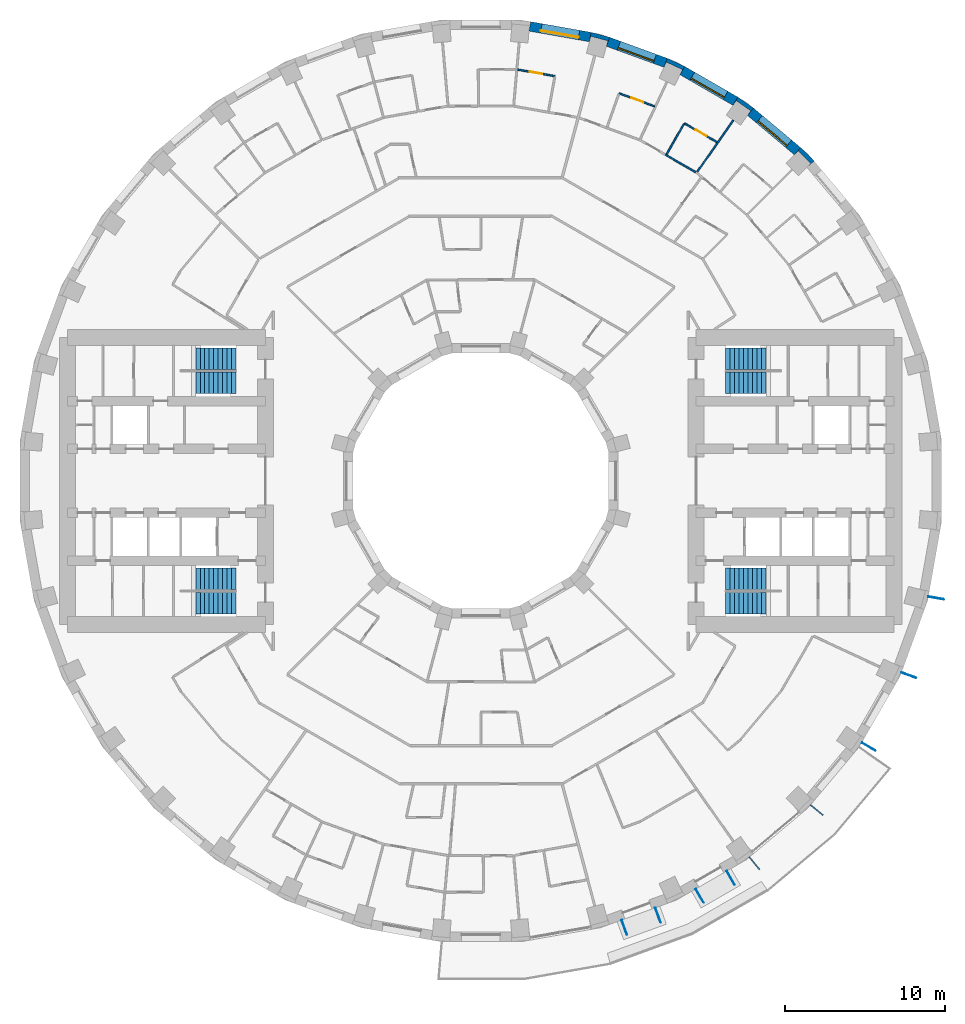
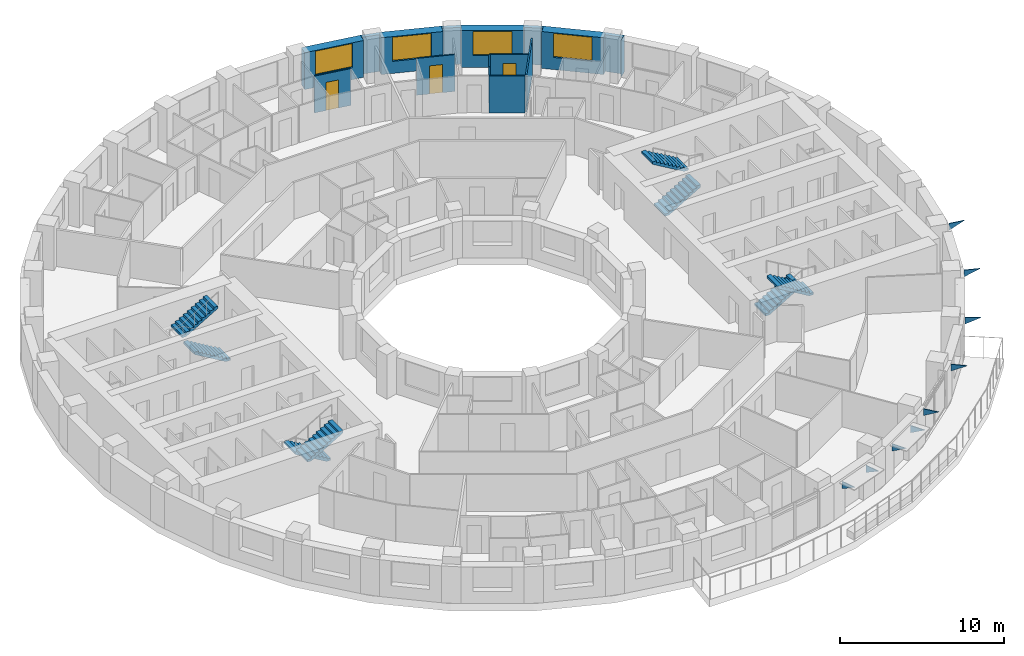
# One storey, part 15 of 16: 14 walls, 9 discrete accessories, 8 stair flights, 4 windows, 3 doors, 7 openings, 4 elements without a shape of their own.
"""IFC4 building model written with IfcOpenShell, lengths in metres."""

from ifc_helpers import new_model, si_unit, direction, frame, frame_2d, origin, place, context, subcontext, project, spatial, polyline, rectangle, outline, extrude, material, layer, layer_set, type_object, element, fill, aggregate, save


model = new_model("IFC4")

# Units and contexts
model_context = context("Model", 3, precision=1e-05, world=origin(), true_north=direction((0.0, 1.0)))
body_context = subcontext(model_context, "Body", "Model", "MODEL_VIEW")
ifc_project = project(units=[si_unit("LENGTHUNIT", "METRE"), si_unit("AREAUNIT", "SQUARE_METRE"), si_unit("VOLUMEUNIT", "CUBIC_METRE"), si_unit("PLANEANGLEUNIT", "RADIAN"), si_unit("MASSUNIT", "GRAM", prefix="KILO")], contexts=[model_context])

# Site, building, storey
site_placement = place(None, origin())
site = spatial("IfcSite", under=ifc_project, at=site_placement, CompositionType="ELEMENT")
building_placement = place(site_placement, origin())
building = spatial("IfcBuilding", under=site, at=building_placement, Name="Saqina Gate Tower", CompositionType="ELEMENT")
storey_placement = place(building_placement, frame((0.0, 0.0, 32.89990234375)))
storey = spatial("IfcBuildingStorey", under=building, at=storey_placement, Name="L08", CompositionType="ELEMENT", Elevation=32.89990234375)

# Walls
ifc_material_1 = material(Name="Brick masonry (red)", Category="masonry")
wall_type_1 = type_object("IfcWallType", Name="BRICK PIER COPING RED", PredefinedType="SOLIDWALL", material=ifc_material_1)
wall_1_placement = place(storey_placement, origin())
element("IfcWall", 1, at=wall_1_placement, inside=storey, type_object=wall_type_1, Name="Pier cap L08 column 5", PredefinedType="SOLIDWALL", context=body_context, shape_type="SweptSolid", body=[
    extrude(outline(polyline([(20.04296875, 20.894775390625), (19.6572265625, 20.43505859375), (19.905029296875, 20.682861328125), (20.682861328125, 19.905029296875), (20.43505859375, 19.6572265625), (20.894775390625, 20.04296875), (20.04296875, 20.894775390625)])), origin(), (0.0, 0.0, 1.0), 2.75),
])
wall_2_placement = place(storey_placement, origin())
element("IfcWall", 2, at=wall_2_placement, inside=storey, type_object=wall_type_1, Name="Pier cap L08 column 6", PredefinedType="SOLIDWALL", context=body_context, shape_type="SweptSolid", body=[
    extrude(outline(polyline([(17.096923828125, 23.36669921875), (16.110107421875, 24.0576171875), (15.81005859375, 23.5380859375), (16.010986328125, 23.8251953125), (16.912109375, 23.194091796875), (16.711181640625, 22.9072265625), (17.096923828125, 23.36669921875)])), origin(), (0.0, 0.0, 1.0), 2.75),
])
wall_3_placement = place(storey_placement, origin())
element("IfcWall", 3, at=wall_3_placement, inside=storey, type_object=wall_type_1, Name="Pier cap L08 column 7", PredefinedType="SOLIDWALL", context=body_context, shape_type="SweptSolid", body=[
    extrude(outline(polyline([(11.687744140625, 26.48974609375), (11.482666015625, 25.92578125), (11.630615234375, 26.243408203125), (12.627685546875, 25.778564453125), (12.4794921875, 25.4609375), (12.779541015625, 25.980712890625), (11.687744140625, 26.48974609375)])), origin(), (0.0, 0.0, 1.0), 2.75),
])
wall_4_placement = place(storey_placement, origin())
element("IfcWall", 4, at=wall_4_placement, inside=storey, type_object=wall_type_1, Name="Pier cap L08 column 8", PredefinedType="SOLIDWALL", context=body_context, shape_type="SweptSolid", body=[
    extrude(outline(polyline([(6.910400390625, 28.11669921875), (6.80615234375, 27.52587890625), (6.896728515625, 27.864501953125), (7.95947265625, 27.57958984375), (7.86865234375, 27.2412109375), (8.073974609375, 27.80517578125), (6.910400390625, 28.11669921875)])), origin(), (0.0, 0.0, 1.0), 2.75),
])

# Wall, opening, window
ifc_material_2 = material(Name="Brick masonry (red)", Category="masonry")
ifc_layer_1 = layer(ifc_material_2, 0.60009765625)
ifc_layer_set_1 = layer_set([ifc_layer_1], Name="FW-BRICK-RED")
wall_type_2 = type_object("IfcWallType", Name="FW-BRICK-RED", PredefinedType="SOLIDWALL", material=ifc_layer_set_1)
wall_5_placement = place(storey_placement, frame((19.85009765625, 20.664794921875, 0.0), z_axis=(0.0, 0.0, 1.0), x_axis=(-0.766026164483, 0.642809392687, 0.0)))
wall_5 = element("IfcWall", 5, at=wall_5_placement, inside=storey, type_object=wall_type_2, Name="Facade wall L08 facet 5", PredefinedType="SOLIDWALL", context=body_context, shape_type="SweptSolid", body=[
    extrude(rectangle(XDim=3.845947265625, YDim=0.60009765625, at=frame_2d((1.9228515625, 0.0))), origin(), (0.0, 0.0, 1.0), 2.75),
])
opening_1_placement = place(wall_5_placement, frame((0.722900390625, 0.0, 0.89990234375)))
opening_1 = element("IfcOpeningElement", 6, at=opening_1_placement, cuts=wall_5, Name="Opening G01-W03", PredefinedType="OPENING", context=body_context, shape_type="SweptSolid", body=[
    extrude(rectangle(XDim=2.39990234375, YDim=1.800048828125, at=frame_2d((1.199951171875, 0.89990234375))), frame((0.0, 0.31201171875, 0.0), z_axis=(0.0, -1.0, 0.0), x_axis=(1.0, 0.0, 0.0)), (0.0, 0.0, 1.0), 0.6240234375),
])
ifc_material_3 = material(Name="Aluminium glazing", Category="aluminium")
window_type = type_object("IfcWindowType", Name="WN-A", PartitioningType="SINGLE_PANEL", PredefinedType="WINDOW", material=ifc_material_3)
window_1_placement = place(opening_1_placement, origin())
window_1 = element("IfcWindow", 7, at=window_1_placement, inside=storey, type_object=window_type, Name="Window L08 facet 5", OverallHeight=1.800048828125, OverallWidth=2.39990234375, PartitioningType="SINGLE_PANEL", PredefinedType="WINDOW", context=body_context, shape_type="SweptSolid", body=[
    extrude(rectangle(XDim=2.39990234375, YDim=1.800048828125, at=frame_2d((1.199951171875, 0.89990234375))), frame((0.0, 0.179931640625, 0.0), z_axis=(0.0, -1.0, 0.0), x_axis=(1.0, 0.0, 0.0)), (0.0, 0.0, 1.0), 0.06005859375),
])
fill(opening_1, window_1)

wall_6_placement = place(storey_placement, frame((15.960205078125, 23.7978515625, 0.0), z_axis=(0.0, 0.0, 1.0), x_axis=(-0.86603124159, 0.499989888488, 0.0)))
wall_6 = element("IfcWall", 8, at=wall_6_placement, inside=storey, type_object=wall_type_2, Name="Facade wall L08 facet 6", PredefinedType="SOLIDWALL", context=body_context, shape_type="SweptSolid", body=[
    extrude(rectangle(XDim=3.845703125, YDim=0.60009765625, at=frame_2d((1.9228515625, 0.0))), origin(), (0.0, 0.0, 1.0), 2.75),
])
opening_2_placement = place(wall_6_placement, frame((0.722900390625, 0.0, 0.89990234375)))
opening_2 = element("IfcOpeningElement", 9, at=opening_2_placement, cuts=wall_6, Name="Opening G01-W04", PredefinedType="OPENING", context=body_context, shape_type="SweptSolid", body=[
    extrude(rectangle(XDim=2.39990234375, YDim=1.800048828125, at=frame_2d((1.199951171875, 0.89990234375))), frame((0.0, 0.31201171875, 0.0), z_axis=(0.0, -1.0, 0.0), x_axis=(1.0, 0.0, 0.0)), (0.0, 0.0, 1.0), 0.6240234375),
])
window_2_placement = place(opening_2_placement, origin())
window_2 = element("IfcWindow", 10, at=window_2_placement, inside=storey, type_object=window_type, Name="Window L08 facet 6", OverallHeight=1.800048828125, OverallWidth=2.39990234375, PartitioningType="SINGLE_PANEL", PredefinedType="WINDOW", context=body_context, shape_type="SweptSolid", body=[
    extrude(rectangle(XDim=2.39990234375, YDim=1.800048828125, at=frame_2d((1.199951171875, 0.89990234375))), frame((0.0, 0.179931640625, 0.0), z_axis=(0.0, -1.0, 0.0), x_axis=(1.0, 0.0, 0.0)), (0.0, 0.0, 1.0), 0.06005859375),
])
fill(opening_2, window_2)

wall_7_placement = place(storey_placement, frame((11.585205078125, 26.207763671875, 0.0), z_axis=(0.0, 0.0, 1.0), x_axis=(-0.939689588564, 0.342028474173, 0.0)))
wall_7 = element("IfcWall", 11, at=wall_7_placement, inside=storey, type_object=wall_type_2, Name="Facade wall L08 facet 7", PredefinedType="SOLIDWALL", context=body_context, shape_type="SweptSolid", body=[
    extrude(rectangle(XDim=3.845947265625, YDim=0.60009765625, at=frame_2d((1.9228515625, 0.0))), origin(), (0.0, 0.0, 1.0), 2.75),
])
opening_3_placement = place(wall_7_placement, frame((0.722900390625, 0.0, 0.89990234375)))
opening_3 = element("IfcOpeningElement", 12, at=opening_3_placement, cuts=wall_7, Name="Opening G01-W05", PredefinedType="OPENING", context=body_context, shape_type="SweptSolid", body=[
    extrude(rectangle(XDim=2.39990234375, YDim=1.800048828125, at=frame_2d((1.199951171875, 0.89990234375))), frame((0.0, 0.31201171875, 0.0), z_axis=(0.0, -1.0, 0.0), x_axis=(1.0, 0.0, 0.0)), (0.0, 0.0, 1.0), 0.6240234375),
])
window_3_placement = place(opening_3_placement, origin())
window_3 = element("IfcWindow", 13, at=window_3_placement, inside=storey, type_object=window_type, Name="Window L08 facet 7", OverallHeight=1.800048828125, OverallWidth=2.39990234375, PartitioningType="SINGLE_PANEL", PredefinedType="WINDOW", context=body_context, shape_type="SweptSolid", body=[
    extrude(rectangle(XDim=2.39990234375, YDim=1.800048828125, at=frame_2d((1.199951171875, 0.89990234375))), frame((0.0, 0.179931640625, 0.0), z_axis=(0.0, -1.0, 0.0), x_axis=(1.0, 0.0, 0.0)), (0.0, 0.0, 1.0), 0.06005859375),
])
fill(opening_3, window_3)

wall_8_placement = place(storey_placement, frame((6.858154296875, 27.8212890625, 0.0), z_axis=(0.0, 0.0, 1.0), x_axis=(-0.984800809218, 0.173687553279, 0.0)))
wall_8 = element("IfcWall", 14, at=wall_8_placement, inside=storey, type_object=wall_type_2, Name="Facade wall L08 facet 8", PredefinedType="SOLIDWALL", context=body_context, shape_type="SweptSolid", body=[
    extrude(rectangle(XDim=3.845703125, YDim=0.60009765625, at=frame_2d((1.9228515625, 0.0))), origin(), (0.0, 0.0, 1.0), 2.75),
])
opening_4_placement = place(wall_8_placement, frame((0.722900390625, 0.0, 0.89990234375)))
opening_4 = element("IfcOpeningElement", 15, at=opening_4_placement, cuts=wall_8, Name="Opening G01-W06", PredefinedType="OPENING", context=body_context, shape_type="SweptSolid", body=[
    extrude(rectangle(XDim=2.39990234375, YDim=1.800048828125, at=frame_2d((1.199951171875, 0.89990234375))), frame((0.0, 0.31201171875, 0.0), z_axis=(0.0, -1.0, 0.0), x_axis=(1.0, 0.0, 0.0)), (0.0, 0.0, 1.0), 0.6240234375),
])
window_4_placement = place(opening_4_placement, origin())
window_4 = element("IfcWindow", 16, at=window_4_placement, inside=storey, type_object=window_type, Name="Window L08 facet 8", OverallHeight=1.800048828125, OverallWidth=2.39990234375, PartitioningType="SINGLE_PANEL", PredefinedType="WINDOW", context=body_context, shape_type="SweptSolid", body=[
    extrude(rectangle(XDim=2.39990234375, YDim=1.800048828125, at=frame_2d((1.199951171875, 0.89990234375))), frame((0.0, 0.179931640625, 0.0), z_axis=(0.0, -1.0, 0.0), x_axis=(1.0, 0.0, 0.0)), (0.0, 0.0, 1.0), 0.06005859375),
])
fill(opening_4, window_4)

# Wall
ifc_material_4 = material(Name="Gypsum board on steel studs, 100 mm", Category="steel")
ifc_layer_2 = layer(ifc_material_4, 0.10009765625)
ifc_layer_set_2 = layer_set([ifc_layer_2], Name="PARTITION 100")
wall_type_3 = type_object("IfcWallType", Name="PARTITION 100", PredefinedType="PARTITIONING", material=ifc_layer_set_2)
wall_9_placement = place(storey_placement, frame((11.57177734375, 20.443115234375, 0.0), z_axis=(0.0, 0.0, 1.0), x_axis=(0.865939000713, -0.500149624657, 0.0)))
element("IfcWall", 17, at=wall_9_placement, inside=storey, type_object=wall_type_3, Name="PARTITION PW3-44", PredefinedType="PARTITIONING", context=body_context, shape_type="SweptSolid", body=[
    extrude(rectangle(XDim=2.193115234375, YDim=0.10009765625, at=frame_2d((1.0966796875, 0.0))), origin(), (0.0, 0.0, 1.0), 2.75),
])

# Wall, opening, door
wall_10_placement = place(storey_placement, frame((12.751953125, 22.4169921875, 0.0), z_axis=(0.0, 0.0, 1.0), x_axis=(0.865984969814, -0.500070027153, 0.0)))
wall_10 = element("IfcWall", 18, at=wall_10_placement, inside=storey, type_object=wall_type_3, Name="PARTITION PW3-45", PredefinedType="PARTITIONING", context=body_context, shape_type="SweptSolid", body=[
    extrude(rectangle(XDim=2.371337890625, YDim=0.10009765625, at=frame_2d((1.185546875, 0.0))), origin(), (0.0, 0.0, 1.0), 2.75),
])
opening_5_placement = place(wall_10_placement, frame((0.810791015625, 0.0, 0.0)))
opening_5 = element("IfcOpeningElement", 19, at=opening_5_placement, cuts=wall_10, Name="Opening G01-D10", PredefinedType="OPENING", context=body_context, shape_type="SweptSolid", body=[
    extrude(rectangle(XDim=0.800048828125, YDim=2.10009765625, at=frame_2d((0.39990234375, 1.050048828125))), frame((0.0, 0.06201171875, 0.0), z_axis=(0.0, -1.0, 0.0), x_axis=(1.0, 0.0, 0.0)), (0.0, 0.0, 1.0), 0.1240234375),
])
ifc_material_5 = material(Name="Timber door leaf, 800 mm", Category="wood")
door_type = type_object("IfcDoorType", Name="DOOR 800 TIMBER", OperationType="SINGLE_SWING_LEFT", PredefinedType="DOOR", material=ifc_material_5)
door_1_placement = place(opening_5_placement, origin())
door_1 = element("IfcDoor", 20, at=door_1_placement, inside=storey, type_object=door_type, Name="DOOR G01-D10", OperationType="SINGLE_SWING_RIGHT", OverallHeight=2.10009765625, OverallWidth=0.800048828125, PredefinedType="DOOR", context=body_context, shape_type="SweptSolid", body=[
    extrude(rectangle(XDim=0.800048828125, YDim=2.10009765625, at=frame_2d((0.39990234375, 1.050048828125))), frame((0.0, 0.02490234375, 0.0), z_axis=(0.0, -1.0, 0.0), x_axis=(1.0, 0.0, 0.0)), (0.0, 0.0, 1.0), 0.050048828125),
])
fill(opening_5, door_1)

wall_11_placement = place(storey_placement, frame((8.666015625, 24.291015625, 0.0), z_axis=(0.0, 0.0, 1.0), x_axis=(0.939700179596, -0.341999374952, 0.0)))
wall_11 = element("IfcWall", 21, at=wall_11_placement, inside=storey, type_object=wall_type_3, Name="PARTITION PW3-50", PredefinedType="PARTITIONING", context=body_context, shape_type="SweptSolid", body=[
    extrude(rectangle(XDim=2.370849609375, YDim=0.10009765625, at=frame_2d((1.185546875, 0.0))), origin(), (0.0, 0.0, 1.0), 2.75),
])
opening_6_placement = place(wall_11_placement, frame((0.810546875, 0.0, 0.0)))
opening_6 = element("IfcOpeningElement", 22, at=opening_6_placement, cuts=wall_11, Name="Opening G01-D14", PredefinedType="OPENING", context=body_context, shape_type="SweptSolid", body=[
    extrude(rectangle(XDim=0.800048828125, YDim=2.10009765625, at=frame_2d((0.39990234375, 1.050048828125))), frame((0.0, 0.06201171875, 0.0), z_axis=(0.0, -1.0, 0.0), x_axis=(1.0, 0.0, 0.0)), (0.0, 0.0, 1.0), 0.1240234375),
])
door_2_placement = place(opening_6_placement, origin())
door_2 = element("IfcDoor", 23, at=door_2_placement, inside=storey, type_object=door_type, Name="DOOR G01-D14", OperationType="SINGLE_SWING_RIGHT", OverallHeight=2.10009765625, OverallWidth=0.800048828125, PredefinedType="DOOR", context=body_context, shape_type="SweptSolid", body=[
    extrude(rectangle(XDim=0.800048828125, YDim=2.10009765625, at=frame_2d((0.39990234375, 1.050048828125))), frame((0.0, 0.02490234375, 0.0), z_axis=(0.0, -1.0, 0.0), x_axis=(1.0, 0.0, 0.0)), (0.0, 0.0, 1.0), 0.050048828125),
])
fill(opening_6, door_2)

wall_12_placement = place(storey_placement, frame((2.30517578125, 25.78125, 0.0), z_axis=(0.0, 0.0, 1.0), x_axis=(0.984774232096, -0.17383817705, 0.0)))
wall_12 = element("IfcWall", 24, at=wall_12_placement, inside=storey, type_object=wall_type_3, Name="PARTITION PW3-54", PredefinedType="PARTITIONING", context=body_context, shape_type="SweptSolid", body=[
    extrude(rectangle(XDim=2.3720703125, YDim=0.10009765625, at=frame_2d((1.18603515625, 0.0))), origin(), (0.0, 0.0, 1.0), 2.75),
])
opening_7_placement = place(wall_12_placement, frame((0.760986328125, 0.0, 0.0)))
opening_7 = element("IfcOpeningElement", 25, at=opening_7_placement, cuts=wall_12, Name="Opening G01-D18", PredefinedType="OPENING", context=body_context, shape_type="SweptSolid", body=[
    extrude(rectangle(XDim=0.800048828125, YDim=2.10009765625, at=frame_2d((0.39990234375, 1.050048828125))), frame((0.0, 0.06201171875, 0.0), z_axis=(0.0, -1.0, 0.0), x_axis=(1.0, 0.0, 0.0)), (0.0, 0.0, 1.0), 0.1240234375),
])
door_3_placement = place(opening_7_placement, origin())
door_3 = element("IfcDoor", 26, at=door_3_placement, inside=storey, type_object=door_type, Name="DOOR G01-D18", OperationType="SINGLE_SWING_LEFT", OverallHeight=2.10009765625, OverallWidth=0.800048828125, PredefinedType="DOOR", context=body_context, shape_type="SweptSolid", body=[
    extrude(rectangle(XDim=0.800048828125, YDim=2.10009765625, at=frame_2d((0.39990234375, 1.050048828125))), frame((0.0, 0.02490234375, 0.0), z_axis=(0.0, -1.0, 0.0), x_axis=(1.0, 0.0, 0.0)), (0.0, 0.0, 1.0), 0.050048828125),
])
fill(opening_7, door_3)

# Walls
wall_13_placement = place(storey_placement, frame((13.561279296875, 19.365966796875, 0.0), z_axis=(0.0, 0.0, 1.0), x_axis=(0.573366885016, 0.819298733776, 0.0)))
element("IfcWall", 27, at=wall_13_placement, inside=storey, type_object=wall_type_3, Name="PARTITION PW3-99", PredefinedType="PARTITIONING", context=body_context, shape_type="SweptSolid", body=[
    extrude(rectangle(XDim=3.947998046875, YDim=0.10009765625, at=frame_2d((1.97412109375, 0.0))), origin(), (0.0, 0.0, 1.0), 2.75),
])
wall_14_placement = place(storey_placement, frame((11.64599609375, 20.472412109375, 0.0), z_axis=(0.0, 0.0, 1.0), x_axis=(0.494394843989, 0.869237446408, 0.0)))
element("IfcWall", 28, at=wall_14_placement, inside=storey, type_object=wall_type_3, Name="PARTITION PW3-103", PredefinedType="PARTITIONING", context=body_context, shape_type="SweptSolid", body=[
    extrude(rectangle(XDim=2.18701171875, YDim=0.10009765625, at=frame_2d((1.093505859375, 0.0))), origin(), (0.0, 0.0, 1.0), 2.75),
])

# Stair, stair flights
ifc_material_6 = material(Name="Concrete C40/50", Category="concrete")
stair_type = type_object("IfcStairType", Name="EXIT STAIR", PredefinedType="HALF_TURN_STAIR", material=ifc_material_6)
stair_1_placement = place(storey_placement, origin())
stair_1 = element("IfcStair", 29, at=stair_1_placement, inside=storey, type_object=stair_type, Name="EXIT STAIR 1", PredefinedType="HALF_TURN_STAIR")
ifc_material_7 = material(Name="Concrete C40/50", Category="concrete")
stair_flight_type = type_object("IfcStairFlightType", Name="EXIT STAIR FLIGHT", PredefinedType="STRAIGHT", material=ifc_material_7)
stair_flight_1_placement = place(storey_placement, frame((15.35009765625, 6.1416015625, 0.0), z_axis=(0.0, 0.0, 1.0), x_axis=(1.0, 0.0, 0.0)))
stair_flight_1 = element("IfcStairFlight", 30, at=stair_flight_1_placement, type_object=stair_flight_type, Name="EXIT STAIR 1 FLIGHT 1", NumberOfRisers=10, NumberOfTreads=9, PredefinedType="STRAIGHT", RiserHeight=0.165, TreadLength=0.28, context=body_context, shape_type="SweptSolid", body=[
    extrude(outline(polyline([(0.0, 0.0), (0.0, 0.1650390625), (0.280029296875, 0.1650390625), (0.280029296875, 0.330078125), (0.56005859375, 0.330078125), (0.56005859375, 0.4951171875), (0.840087890625, 0.4951171875), (0.840087890625, 0.659912109375), (1.1201171875, 0.659912109375), (1.1201171875, 0.824951171875), (1.39990234375, 0.824951171875), (1.39990234375, 0.989990234375), (1.679931640625, 0.989990234375), (1.679931640625, 1.155029296875), (1.9599609375, 1.155029296875), (1.9599609375, 1.320068359375), (2.239990234375, 1.320068359375), (2.239990234375, 1.485107421875), (2.52001953125, 1.485107421875), (2.52001953125, 1.64990234375), (2.52001953125, 1.31103515625), (0.295166015625, 0.0), (0.0, 0.0)])), frame((0.0, 0.675048828125, 0.0), z_axis=(0.0, -1.0, 0.0), x_axis=(1.0, 0.0, 0.0)), (0.0, 0.0, 1.0), 1.35009765625),
])
stair_flight_2_placement = place(storey_placement, frame((17.8701171875, 7.658447265625, 1.650146484375), z_axis=(0.0, 0.0, 1.0), x_axis=(-1.0, 0.0, 0.0)))
stair_flight_2 = element("IfcStairFlight", 31, at=stair_flight_2_placement, type_object=stair_flight_type, Name="EXIT STAIR 1 FLIGHT 2", NumberOfRisers=10, NumberOfTreads=9, PredefinedType="STRAIGHT", RiserHeight=0.165, TreadLength=0.28, context=body_context, shape_type="SweptSolid", body=[
    extrude(outline(polyline([(0.0, 0.0), (0.0, 0.1650390625), (0.280029296875, 0.1650390625), (0.280029296875, 0.330078125), (0.56005859375, 0.330078125), (0.56005859375, 0.4951171875), (0.840087890625, 0.4951171875), (0.840087890625, 0.659912109375), (1.1201171875, 0.659912109375), (1.1201171875, 0.824951171875), (1.39990234375, 0.824951171875), (1.39990234375, 0.989990234375), (1.679931640625, 0.989990234375), (1.679931640625, 1.155029296875), (1.9599609375, 1.155029296875), (1.9599609375, 1.320068359375), (2.239990234375, 1.320068359375), (2.239990234375, 1.485107421875), (2.52001953125, 1.485107421875), (2.52001953125, 1.64990234375), (2.52001953125, 1.31103515625), (0.295166015625, 0.0), (0.0, 0.0)])), frame((0.0, 0.675048828125, 0.0), z_axis=(0.0, -1.0, 0.0), x_axis=(1.0, 0.0, 0.0)), (0.0, 0.0, 1.0), 1.35009765625),
])
aggregate(stair_1, [stair_flight_1, stair_flight_2])

stair_2_placement = place(storey_placement, origin())
stair_2 = element("IfcStair", 32, at=stair_2_placement, inside=storey, type_object=stair_type, Name="EXIT STAIR 2", PredefinedType="HALF_TURN_STAIR")
stair_flight_3_placement = place(storey_placement, frame((15.35009765625, -6.1416015625, 0.0), z_axis=(0.0, 0.0, 1.0), x_axis=(1.0, 0.0, 0.0)))
stair_flight_3 = element("IfcStairFlight", 33, at=stair_flight_3_placement, type_object=stair_flight_type, Name="EXIT STAIR 2 FLIGHT 1", NumberOfRisers=10, NumberOfTreads=9, PredefinedType="STRAIGHT", RiserHeight=0.165, TreadLength=0.28, context=body_context, shape_type="SweptSolid", body=[
    extrude(outline(polyline([(0.0, 0.0), (0.0, 0.1650390625), (0.280029296875, 0.1650390625), (0.280029296875, 0.330078125), (0.56005859375, 0.330078125), (0.56005859375, 0.4951171875), (0.840087890625, 0.4951171875), (0.840087890625, 0.659912109375), (1.1201171875, 0.659912109375), (1.1201171875, 0.824951171875), (1.39990234375, 0.824951171875), (1.39990234375, 0.989990234375), (1.679931640625, 0.989990234375), (1.679931640625, 1.155029296875), (1.9599609375, 1.155029296875), (1.9599609375, 1.320068359375), (2.239990234375, 1.320068359375), (2.239990234375, 1.485107421875), (2.52001953125, 1.485107421875), (2.52001953125, 1.64990234375), (2.52001953125, 1.31103515625), (0.295166015625, 0.0), (0.0, 0.0)])), frame((0.0, 0.675048828125, 0.0), z_axis=(0.0, -1.0, 0.0), x_axis=(1.0, 0.0, 0.0)), (0.0, 0.0, 1.0), 1.35009765625),
])
stair_flight_4_placement = place(storey_placement, frame((17.8701171875, -7.658447265625, 1.650146484375), z_axis=(0.0, 0.0, 1.0), x_axis=(-1.0, 0.0, 0.0)))
stair_flight_4 = element("IfcStairFlight", 34, at=stair_flight_4_placement, type_object=stair_flight_type, Name="EXIT STAIR 2 FLIGHT 2", NumberOfRisers=10, NumberOfTreads=9, PredefinedType="STRAIGHT", RiserHeight=0.165, TreadLength=0.28, context=body_context, shape_type="SweptSolid", body=[
    extrude(outline(polyline([(0.0, 0.0), (0.0, 0.1650390625), (0.280029296875, 0.1650390625), (0.280029296875, 0.330078125), (0.56005859375, 0.330078125), (0.56005859375, 0.4951171875), (0.840087890625, 0.4951171875), (0.840087890625, 0.659912109375), (1.1201171875, 0.659912109375), (1.1201171875, 0.824951171875), (1.39990234375, 0.824951171875), (1.39990234375, 0.989990234375), (1.679931640625, 0.989990234375), (1.679931640625, 1.155029296875), (1.9599609375, 1.155029296875), (1.9599609375, 1.320068359375), (2.239990234375, 1.320068359375), (2.239990234375, 1.485107421875), (2.52001953125, 1.485107421875), (2.52001953125, 1.64990234375), (2.52001953125, 1.31103515625), (0.295166015625, 0.0), (0.0, 0.0)])), frame((0.0, 0.675048828125, 0.0), z_axis=(0.0, -1.0, 0.0), x_axis=(1.0, 0.0, 0.0)), (0.0, 0.0, 1.0), 1.35009765625),
])
aggregate(stair_2, [stair_flight_3, stair_flight_4])

stair_3_placement = place(storey_placement, origin())
stair_3 = element("IfcStair", 35, at=stair_3_placement, inside=storey, type_object=stair_type, Name="EXIT STAIR 3", PredefinedType="HALF_TURN_STAIR")
stair_flight_5_placement = place(storey_placement, frame((-15.35009765625, 6.1416015625, 0.0), z_axis=(0.0, 0.0, 1.0), x_axis=(-1.0, 0.0, 0.0)))
stair_flight_5 = element("IfcStairFlight", 36, at=stair_flight_5_placement, type_object=stair_flight_type, Name="EXIT STAIR 3 FLIGHT 1", NumberOfRisers=10, NumberOfTreads=9, PredefinedType="STRAIGHT", RiserHeight=0.165, TreadLength=0.28, context=body_context, shape_type="SweptSolid", body=[
    extrude(outline(polyline([(0.0, 0.0), (0.0, 0.1650390625), (0.280029296875, 0.1650390625), (0.280029296875, 0.330078125), (0.56005859375, 0.330078125), (0.56005859375, 0.4951171875), (0.840087890625, 0.4951171875), (0.840087890625, 0.659912109375), (1.1201171875, 0.659912109375), (1.1201171875, 0.824951171875), (1.39990234375, 0.824951171875), (1.39990234375, 0.989990234375), (1.679931640625, 0.989990234375), (1.679931640625, 1.155029296875), (1.9599609375, 1.155029296875), (1.9599609375, 1.320068359375), (2.239990234375, 1.320068359375), (2.239990234375, 1.485107421875), (2.52001953125, 1.485107421875), (2.52001953125, 1.64990234375), (2.52001953125, 1.31103515625), (0.295166015625, 0.0), (0.0, 0.0)])), frame((0.0, 0.675048828125, 0.0), z_axis=(0.0, -1.0, 0.0), x_axis=(1.0, 0.0, 0.0)), (0.0, 0.0, 1.0), 1.35009765625),
])
stair_flight_6_placement = place(storey_placement, frame((-17.8701171875, 7.658447265625, 1.650146484375), z_axis=(0.0, 0.0, 1.0), x_axis=(1.0, 0.0, 0.0)))
stair_flight_6 = element("IfcStairFlight", 37, at=stair_flight_6_placement, type_object=stair_flight_type, Name="EXIT STAIR 3 FLIGHT 2", NumberOfRisers=10, NumberOfTreads=9, PredefinedType="STRAIGHT", RiserHeight=0.165, TreadLength=0.28, context=body_context, shape_type="SweptSolid", body=[
    extrude(outline(polyline([(0.0, 0.0), (0.0, 0.1650390625), (0.280029296875, 0.1650390625), (0.280029296875, 0.330078125), (0.56005859375, 0.330078125), (0.56005859375, 0.4951171875), (0.840087890625, 0.4951171875), (0.840087890625, 0.659912109375), (1.1201171875, 0.659912109375), (1.1201171875, 0.824951171875), (1.39990234375, 0.824951171875), (1.39990234375, 0.989990234375), (1.679931640625, 0.989990234375), (1.679931640625, 1.155029296875), (1.9599609375, 1.155029296875), (1.9599609375, 1.320068359375), (2.239990234375, 1.320068359375), (2.239990234375, 1.485107421875), (2.52001953125, 1.485107421875), (2.52001953125, 1.64990234375), (2.52001953125, 1.31103515625), (0.295166015625, 0.0), (0.0, 0.0)])), frame((0.0, 0.675048828125, 0.0), z_axis=(0.0, -1.0, 0.0), x_axis=(1.0, 0.0, 0.0)), (0.0, 0.0, 1.0), 1.35009765625),
])
aggregate(stair_3, [stair_flight_5, stair_flight_6])

stair_4_placement = place(storey_placement, origin())
stair_4 = element("IfcStair", 38, at=stair_4_placement, inside=storey, type_object=stair_type, Name="EXIT STAIR 4", PredefinedType="HALF_TURN_STAIR")
stair_flight_7_placement = place(storey_placement, frame((-15.35009765625, -6.1416015625, 0.0), z_axis=(0.0, 0.0, 1.0), x_axis=(-1.0, 0.0, 0.0)))
stair_flight_7 = element("IfcStairFlight", 39, at=stair_flight_7_placement, type_object=stair_flight_type, Name="EXIT STAIR 4 FLIGHT 1", NumberOfRisers=10, NumberOfTreads=9, PredefinedType="STRAIGHT", RiserHeight=0.165, TreadLength=0.28, context=body_context, shape_type="SweptSolid", body=[
    extrude(outline(polyline([(0.0, 0.0), (0.0, 0.1650390625), (0.280029296875, 0.1650390625), (0.280029296875, 0.330078125), (0.56005859375, 0.330078125), (0.56005859375, 0.4951171875), (0.840087890625, 0.4951171875), (0.840087890625, 0.659912109375), (1.1201171875, 0.659912109375), (1.1201171875, 0.824951171875), (1.39990234375, 0.824951171875), (1.39990234375, 0.989990234375), (1.679931640625, 0.989990234375), (1.679931640625, 1.155029296875), (1.9599609375, 1.155029296875), (1.9599609375, 1.320068359375), (2.239990234375, 1.320068359375), (2.239990234375, 1.485107421875), (2.52001953125, 1.485107421875), (2.52001953125, 1.64990234375), (2.52001953125, 1.31103515625), (0.295166015625, 0.0), (0.0, 0.0)])), frame((0.0, 0.675048828125, 0.0), z_axis=(0.0, -1.0, 0.0), x_axis=(1.0, 0.0, 0.0)), (0.0, 0.0, 1.0), 1.35009765625),
])
stair_flight_8_placement = place(storey_placement, frame((-17.8701171875, -7.658447265625, 1.650146484375), z_axis=(0.0, 0.0, 1.0), x_axis=(1.0, 0.0, 0.0)))
stair_flight_8 = element("IfcStairFlight", 40, at=stair_flight_8_placement, type_object=stair_flight_type, Name="EXIT STAIR 4 FLIGHT 2", NumberOfRisers=10, NumberOfTreads=9, PredefinedType="STRAIGHT", RiserHeight=0.165, TreadLength=0.28, context=body_context, shape_type="SweptSolid", body=[
    extrude(outline(polyline([(0.0, 0.0), (0.0, 0.1650390625), (0.280029296875, 0.1650390625), (0.280029296875, 0.330078125), (0.56005859375, 0.330078125), (0.56005859375, 0.4951171875), (0.840087890625, 0.4951171875), (0.840087890625, 0.659912109375), (1.1201171875, 0.659912109375), (1.1201171875, 0.824951171875), (1.39990234375, 0.824951171875), (1.39990234375, 0.989990234375), (1.679931640625, 0.989990234375), (1.679931640625, 1.155029296875), (1.9599609375, 1.155029296875), (1.9599609375, 1.320068359375), (2.239990234375, 1.320068359375), (2.239990234375, 1.485107421875), (2.52001953125, 1.485107421875), (2.52001953125, 1.64990234375), (2.52001953125, 1.31103515625), (0.295166015625, 0.0), (0.0, 0.0)])), frame((0.0, 0.675048828125, 0.0), z_axis=(0.0, -1.0, 0.0), x_axis=(1.0, 0.0, 0.0)), (0.0, 0.0, 1.0), 1.35009765625),
])
aggregate(stair_4, [stair_flight_7, stair_flight_8])

# Discrete accessories
ifc_material_8 = material(Name="Galvanised steel", Category="steel")
ifc_layer_3 = layer(ifc_material_8, 0.050048828125)
ifc_layer_set_3 = layer_set([ifc_layer_3], Name="BR-AWNING")
discrete_accessory_type_1 = type_object("IfcDiscreteAccessoryType", Name="BR-AWNING", PredefinedType="BRACKET", material=ifc_layer_set_3)
for number, where, z_axis, x_axis, name in (
    (41, (8.84912109375, -27.52294921875, 1.97509765625), (0.939686455819, 0.342037080957, 0.0), (0.0, 0.0, 1.0), "Awning bracket L08 facet 29"),
    (42, (10.95947265625, -26.7548828125, 1.97509765625), (0.939686455819, 0.342037080957, 0.0), (0.0, 0.0, 1.0), "Awning bracket L08 facet 29"),
):
    element("IfcDiscreteAccessory", number, at=place(storey_placement, frame(where, z_axis=z_axis, x_axis=x_axis)), inside=storey, type_object=discrete_accessory_type_1, Name=name, PredefinedType="BRACKET", context=body_context, shape_type="SweptSolid", body=[
        extrude(outline(polyline([(0.0, 0.0), (0.550048828125, 0.0), (0.550048828125, 1.000011503630275), (0.0, 0.0)])), origin(), (0.0, 0.0, -1.0), 0.050048828125),
    ])
for number, where, z_axis, x_axis, name in (
    (43, (13.493896484375, -25.568115234375, 1.97509765625), (0.866010750942, 0.50002537861, 0.0), (0.0, 0.0, 1.0), "Awning bracket L08 facet 30"),
    (44, (15.43896484375, -24.4453125, 1.97509765625), (0.866010750942, 0.50002537861, 0.0), (0.0, 0.0, 1.0), "Awning bracket L08 facet 30"),
):
    element("IfcDiscreteAccessory", number, at=place(storey_placement, frame(where, z_axis=z_axis, x_axis=x_axis)), inside=storey, type_object=discrete_accessory_type_1, Name=name, PredefinedType="BRACKET", context=body_context, shape_type="SweptSolid", body=[
        extrude(outline(polyline([(0.0, 0.0), (0.550048828125, 0.0), (0.550048828125, 0.9999492453569568), (0.0, 0.0)])), origin(), (0.0, 0.0, -1.0), 0.050048828125),
    ])
ifc_material_9 = material(Name="Galvanised steel", Category="steel")
ifc_layer_4 = layer(ifc_material_9, 0.050048828125)
ifc_layer_set_4 = layer_set([ifc_layer_4], Name="BR-GUSSET")
discrete_accessory_type_2 = type_object("IfcDiscreteAccessoryType", Name="BR-GUSSET", PredefinedType="BRACKET", material=ifc_layer_set_4)
for number, where, z_axis, x_axis, name in (
    (45, (16.844482421875, -23.57861328125, 2.25), (0.766055819685, 0.64277405138, 0.0), (0.0, 0.0, 1.0), "Terrace slab bracket L09 1"),
    (46, (20.682861328125, -20.29541015625, 2.25), (0.64277405138, 0.766055819685, 0.0), (0.0, 0.0, 1.0), "Terrace slab bracket L09 2"),
):
    element("IfcDiscreteAccessory", number, at=place(storey_placement, frame(where, z_axis=z_axis, x_axis=x_axis)), inside=storey, type_object=discrete_accessory_type_2, Name=name, PredefinedType="BRACKET", context=body_context, shape_type="SweptSolid", body=[
        extrude(outline(polyline([(0.0, 0.0), (0.5, 0.0), (0.5, 1.0000750096322275), (0.0, 0.0)])), origin(), (0.0, 0.0, -1.0), 0.050048828125),
    ])
discrete_accessory_1_placement = place(storey_placement, frame((23.892822265625, -16.3955078125, 2.25), z_axis=(0.50002537861, 0.866010750942, 0.0), x_axis=(0.0, 0.0, 1.0)))
element("IfcDiscreteAccessory", 47, at=discrete_accessory_1_placement, inside=storey, type_object=discrete_accessory_type_2, Name="Terrace slab bracket L09 3", PredefinedType="BRACKET", context=body_context, shape_type="SweptSolid", body=[
    extrude(outline(polyline([(0.0, 0.0), (0.5, 0.0), (0.5, 0.9999492453569568), (0.0, 0.0)])), origin(), (0.0, 0.0, -1.0), 0.050048828125),
])
discrete_accessory_2_placement = place(storey_placement, frame((26.376953125, -11.99755859375, 2.25), z_axis=(0.342037080957, 0.939686455819, 0.0), x_axis=(0.0, 0.0, 1.0)))
element("IfcDiscreteAccessory", 48, at=discrete_accessory_2_placement, inside=storey, type_object=discrete_accessory_type_2, Name="Terrace slab bracket L09 4", PredefinedType="BRACKET", context=body_context, shape_type="SweptSolid", body=[
    extrude(outline(polyline([(0.0, 0.0), (0.5, 0.0), (0.5, 1.000011503630275), (0.0, 0.0)])), origin(), (0.0, 0.0, -1.0), 0.050048828125),
])
discrete_accessory_3_placement = place(storey_placement, frame((28.0595703125, -7.23486328125, 2.25), z_axis=(0.173813186416, 0.984778643263, 0.0), x_axis=(0.0, 0.0, 1.0)))
element("IfcDiscreteAccessory", 49, at=discrete_accessory_3_placement, inside=storey, type_object=discrete_accessory_type_2, Name="Terrace slab bracket L09 5", PredefinedType="BRACKET", context=body_context, shape_type="SweptSolid", body=[
    extrude(outline(polyline([(0.0, 0.0), (0.5, 0.0), (0.5, 1.000085946204391), (0.0, 0.0)])), origin(), (0.0, 0.0, -1.0), 0.050048828125),
])

save(model, "model.ifc")
